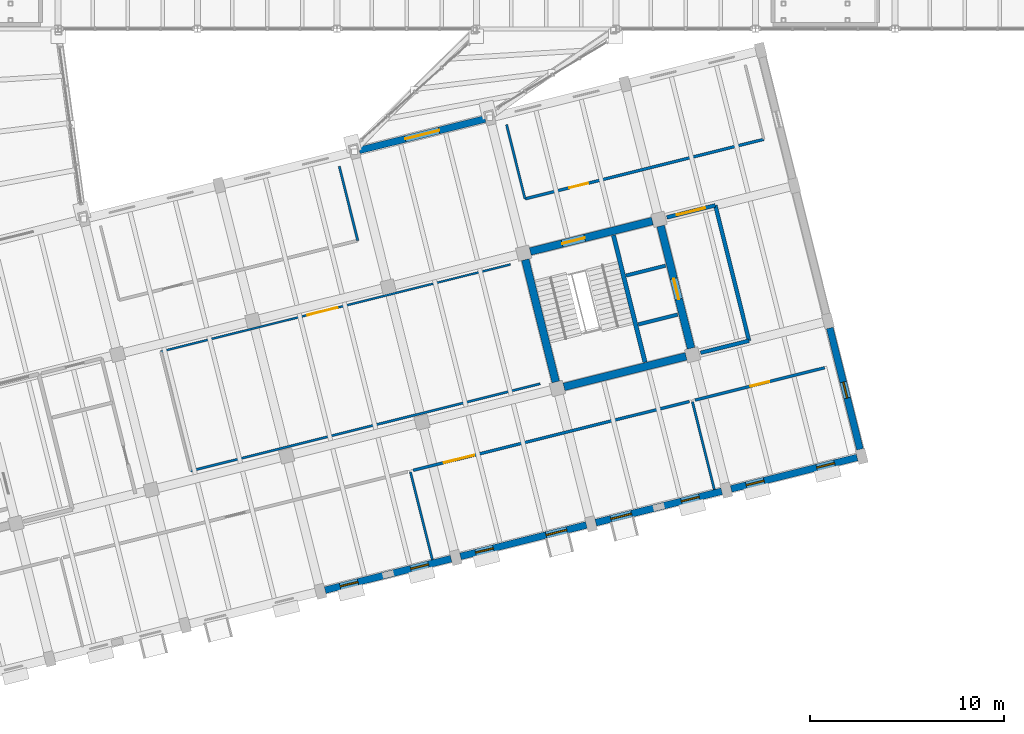
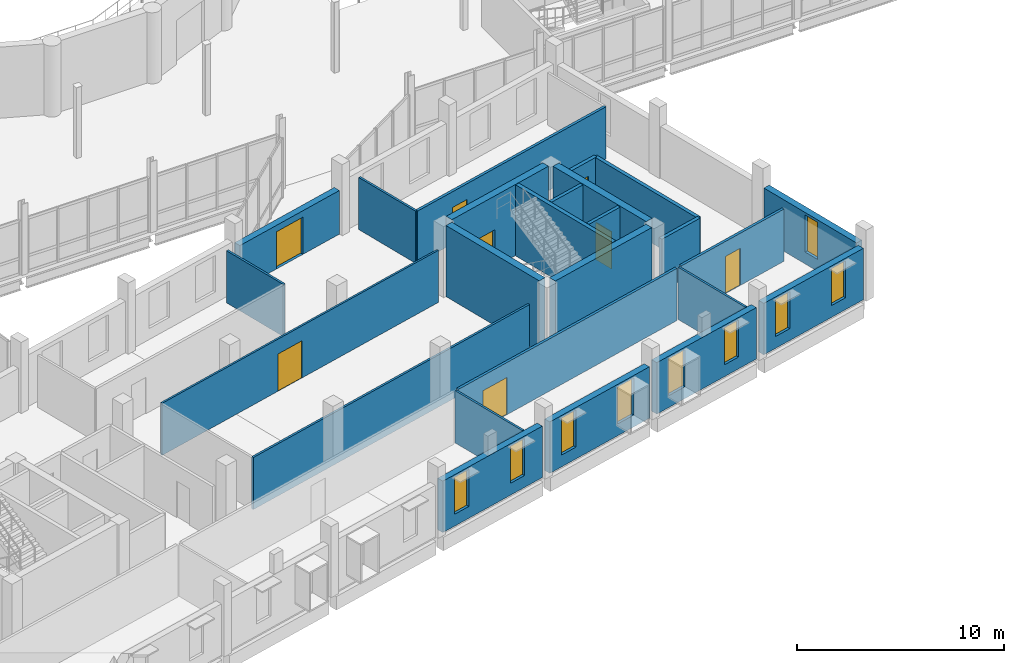
# One storey, part 57 of 72: 25 walls, 9 windows, 8 doors, 17 openings.
"""IFC4 building model written with IfcOpenShell, lengths in metres."""

from ifc_helpers import new_model, si_unit, direction, frame, frame_2d, origin, place, context, subcontext, project, spatial, rectangle, extrude, material, layer, layer_set, type_object, element, fill, save


model = new_model("IFC4")

# Units and contexts
model_context = context("Model", 3, precision=1e-05, world=origin(), true_north=direction((0.0, 1.0)))
body_context = subcontext(model_context, "Body", "Model", "MODEL_VIEW")
ifc_project = project(units=[si_unit("LENGTHUNIT", "METRE"), si_unit("AREAUNIT", "SQUARE_METRE"), si_unit("VOLUMEUNIT", "CUBIC_METRE"), si_unit("PLANEANGLEUNIT", "RADIAN"), si_unit("MASSUNIT", "GRAM", prefix="KILO")], contexts=[model_context])

# Site, building, storey
site_placement = place(None, origin())
site = spatial("IfcSite", under=ifc_project, at=site_placement, CompositionType="ELEMENT")
building_placement = place(site_placement, origin())
building = spatial("IfcBuilding", under=site, at=building_placement, Name="Qiaolan Assembly House", CompositionType="ELEMENT")
storey_placement = place(building_placement, frame((0.0, 0.0, 10.199951171875)))
storey = spatial("IfcBuildingStorey", under=building, at=storey_placement, Name="L02", CompositionType="ELEMENT", Elevation=10.199951171875)

# Wall
ifc_material_1 = material(Name="Concrete C45/55", Category="concrete")
ifc_layer_1 = layer(ifc_material_1, 0.39990234375)
ifc_layer_set_1 = layer_set([ifc_layer_1], Name="Concrete C45/55")
wall_type_1 = type_object("IfcWallType", Name="WAL-CORE-400", PredefinedType="SHEAR", material=ifc_layer_set_1)
wall_1_placement = place(storey_placement, frame((76.5146484375, 17.521728515625, 0.0), z_axis=(0.0, 0.0, 1.0), x_axis=(0.970294759049, 0.241925774902, 0.0)))
element("IfcWall", 1, at=wall_1_placement, inside=storey, type_object=wall_type_1, Name="CW-400 shear core wall CORE-D S L02", PredefinedType="SHEAR", context=body_context, shape_type="SweptSolid", body=[
    extrude(rectangle(XDim=6.5, YDim=0.39990234375, at=frame_2d((3.25, 0.0))), origin(), (0.0, 0.0, 1.0), 4.199951171875),
])

# Wall, opening, door
wall_2_placement = place(storey_placement, frame((83.076416015625, 19.5185546875, 0.0), z_axis=(0.0, 0.0, 1.0), x_axis=(-0.241925774902, 0.970294759049, 0.0)))
wall_2 = element("IfcWall", 2, at=wall_2_placement, inside=storey, type_object=wall_type_1, Name="CW-400 shear core wall CORE-D E L02", PredefinedType="SHEAR", context=body_context, shape_type="SweptSolid", body=[
    extrude(rectangle(XDim=6.5, YDim=0.39990234375, at=frame_2d((3.25, 0.0))), origin(), (0.0, 0.0, 1.0), 4.199951171875),
])
opening_1_placement = place(wall_2_placement, frame((2.60009765625, 0.0, 0.0)))
opening_1 = element("IfcOpeningElement", 3, at=opening_1_placement, cuts=wall_2, Name="Opening LD-060", PredefinedType="OPENING", context=body_context, shape_type="SweptSolid", body=[
    extrude(rectangle(XDim=1.10009765625, YDim=2.199951171875, at=frame_2d((0.550048828125, 1.10009765625))), frame((0.0, 0.2099609375, 0.0), z_axis=(0.0, -1.0, 0.0), x_axis=(1.0, 0.0, 0.0)), (0.0, 0.0, 1.0), 0.419921875),
])
ifc_material_2 = material(Name="Anodised bronze aluminium", Category="aluminium")
door_type_1 = type_object("IfcDoorType", Name="DOR-LIFT-LD1100", OperationType="SLIDING_TO_LEFT", PredefinedType="DOOR", material=ifc_material_2)
door_1_placement = place(opening_1_placement, origin())
door_1 = element("IfcDoor", 4, at=door_1_placement, inside=storey, type_object=door_type_1, Name="Lift landing door LD-060 (LF-08 L02)", OperationType="SLIDING_TO_LEFT", OverallHeight=2.199951171875, OverallWidth=1.10009765625, PredefinedType="DOOR", context=body_context, shape_type="SweptSolid", body=[
    extrude(rectangle(XDim=1.10009765625, YDim=2.199951171875, at=frame_2d((0.550048828125, 1.10009765625))), frame((0.0, 0.02490234375, 0.0), z_axis=(0.0, -1.0, 0.0), x_axis=(1.0, 0.0, 0.0)), (0.0, 0.0, 1.0), 0.050048828125),
])
fill(opening_1, door_1)

wall_3_placement = place(storey_placement, frame((81.07958984375, 26.08056640625, 0.0), z_axis=(0.0, 0.0, 1.0), x_axis=(-0.970294759049, -0.241925774902, 0.0)))
wall_3 = element("IfcWall", 5, at=wall_3_placement, inside=storey, type_object=wall_type_1, Name="CW-400 shear core wall CORE-D N L02", PredefinedType="SHEAR", context=body_context, shape_type="SweptSolid", body=[
    extrude(rectangle(XDim=6.5, YDim=0.39990234375, at=frame_2d((3.25, 0.0))), origin(), (0.0, 0.0, 1.0), 4.199951171875),
])
opening_2_placement = place(wall_3_placement, frame((3.60009765625, 0.0, 0.0)))
opening_2 = element("IfcOpeningElement", 6, at=opening_2_placement, cuts=wall_3, Name="Opening FD-099", PredefinedType="OPENING", context=body_context, shape_type="SweptSolid", body=[
    extrude(rectangle(XDim=1.199951171875, YDim=2.199951171875, at=frame_2d((0.60009765625, 1.10009765625))), frame((0.0, 0.2099609375, 0.0), z_axis=(0.0, -1.0, 0.0), x_axis=(1.0, 0.0, 0.0)), (0.0, 0.0, 1.0), 0.419921875),
])
ifc_material_3 = material(Name="Steel Q355B", Category="steel")
door_type_2 = type_object("IfcDoorType", Name="DOR-FIRE-FD90-1200", OperationType="NOTDEFINED", PredefinedType="DOOR", material=ifc_material_3)
door_2_placement = place(opening_2_placement, frame((1.199951171875, 0.0, 0.0), z_axis=(0.0, 0.0, 1.0), x_axis=(-1.0, 0.0, 0.0)))
door_2 = element("IfcDoor", 7, at=door_2_placement, inside=storey, type_object=door_type_2, Name="Stairwell fire door FD-099 (CORE-D L02)", OperationType="SINGLE_SWING_LEFT", OverallHeight=2.199951171875, OverallWidth=1.199951171875, PredefinedType="DOOR", context=body_context, shape_type="SweptSolid", body=[
    extrude(rectangle(XDim=1.199951171875, YDim=2.199951171875, at=frame_2d((0.60009765625, 1.10009765625))), frame((0.0, 0.02490234375, 0.0), z_axis=(0.0, -1.0, 0.0), x_axis=(1.0, 0.0, 0.0)), (0.0, 0.0, 1.0), 0.050048828125),
])
fill(opening_2, door_2)

# Wall
wall_4_placement = place(storey_placement, frame((74.517822265625, 24.083740234375, 0.0), z_axis=(0.0, 0.0, 1.0), x_axis=(0.241925774902, -0.970294759049, 0.0)))
element("IfcWall", 8, at=wall_4_placement, inside=storey, type_object=wall_type_1, Name="CW-400 shear core wall CORE-D W L02", PredefinedType="SHEAR", context=body_context, shape_type="SweptSolid", body=[
    extrude(rectangle(XDim=6.5, YDim=0.39990234375, at=frame_2d((3.25, 0.0))), origin(), (0.0, 0.0, 1.0), 4.199951171875),
])

# Wall, openings, windows
ifc_material_4 = material(Name="Honed pale limestone", Category="masonry")
ifc_layer_2 = layer(ifc_material_4, 0.360107421875)
ifc_layer_set_2 = layer_set([ifc_layer_2], Name="Honed pale limestone")
wall_type_2 = type_object("IfcWallType", Name="WAL-EXT-LIMESTONE-360", PredefinedType="SOLIDWALL", material=ifc_layer_set_2)
wall_5_placement = place(storey_placement, frame((64.18505859375, 7.02734375, 0.0), z_axis=(0.0, 0.0, 1.0), x_axis=(0.970296540998, 0.241918627903, 0.0)))
wall_5 = element("IfcWall", 9, at=wall_5_placement, inside=storey, type_object=wall_type_2, Name="EW-360 SE South boulevard wall L02 bay 5", PredefinedType="SOLIDWALL", context=body_context, shape_type="SweptSolid", body=[
    extrude(rectangle(XDim=6.7041015625, YDim=0.360107421875, at=frame_2d((3.35205078125, 0.0))), origin(), (0.0, 0.0, 1.0), 3.0400390625),
])
opening_3_placement = place(wall_5_placement, frame((0.802001953125, 0.0, 0.699951171875)))
opening_3 = element("IfcOpeningElement", 10, at=opening_3_placement, cuts=wall_5, Name="Opening WN-288", PredefinedType="OPENING", context=body_context, shape_type="SweptSolid", body=[
    extrude(rectangle(XDim=0.949951171875, YDim=2.18994140625, at=frame_2d((0.47509765625, 1.094970703125))), frame((0.0, 0.18994140625, 0.0), z_axis=(0.0, -1.0, 0.0), x_axis=(1.0, 0.0, 0.0)), (0.0, 0.0, 1.0), 0.380126953125),
])
opening_4_placement = place(wall_5_placement, frame((4.552001953125, 0.0, 0.699951171875)))
opening_4 = element("IfcOpeningElement", 11, at=opening_4_placement, cuts=wall_5, Name="Opening WN-289", PredefinedType="OPENING", context=body_context, shape_type="SweptSolid", body=[
    extrude(rectangle(XDim=0.949951171875, YDim=2.18994140625, at=frame_2d((0.47509765625, 1.094970703125))), frame((0.0, 0.18994140625, 0.0), z_axis=(0.0, -1.0, 0.0), x_axis=(1.0, 0.0, 0.0)), (0.0, 0.0, 1.0), 0.380126953125),
])
ifc_material_5 = material(Name="Low-E double insulating glass", Category="glass")
window_type_1 = type_object("IfcWindowType", Name="WIN-PUNCH-950x2400", PartitioningType="SINGLE_PANEL", PredefinedType="WINDOW", material=ifc_material_5)
window_1_placement = place(opening_3_placement, origin())
window_1 = element("IfcWindow", 12, at=window_1_placement, inside=storey, type_object=window_type_1, Name="WN-T06 splayed window WN-288", OverallHeight=2.18994140625, OverallWidth=0.949951171875, PartitioningType="SINGLE_PANEL", PredefinedType="WINDOW", context=body_context, shape_type="SweptSolid", body=[
    extrude(rectangle(XDim=0.949951171875, YDim=2.18994140625, at=frame_2d((0.47509765625, 1.094970703125))), frame((0.0, 0.030029296875, 0.0), z_axis=(0.0, -1.0, 0.0), x_axis=(1.0, 0.0, 0.0)), (0.0, 0.0, 1.0), 0.06005859375),
])
fill(opening_3, window_1)
window_2_placement = place(opening_4_placement, origin())
window_2 = element("IfcWindow", 13, at=window_2_placement, inside=storey, type_object=window_type_1, Name="WN-T06 splayed window WN-289", OverallHeight=2.18994140625, OverallWidth=0.949951171875, PartitioningType="SINGLE_PANEL", PredefinedType="WINDOW", context=body_context, shape_type="SweptSolid", body=[
    extrude(rectangle(XDim=0.949951171875, YDim=2.18994140625, at=frame_2d((0.47509765625, 1.094970703125))), frame((0.0, 0.030029296875, 0.0), z_axis=(0.0, -1.0, 0.0), x_axis=(1.0, 0.0, 0.0)), (0.0, 0.0, 1.0), 0.06005859375),
])
fill(opening_4, window_2)

wall_6_placement = place(storey_placement, frame((71.17138671875, 8.769287109375, 0.0), z_axis=(0.0, 0.0, 1.0), x_axis=(0.97029440959, 0.241927176478, 0.0)))
wall_6 = element("IfcWall", 14, at=wall_6_placement, inside=storey, type_object=wall_type_2, Name="EW-360 SE South boulevard wall L02 bay 6", PredefinedType="SOLIDWALL", context=body_context, shape_type="SweptSolid", body=[
    extrude(rectangle(XDim=6.703857421875, YDim=0.360107421875, at=frame_2d((3.35205078125, 0.0))), origin(), (0.0, 0.0, 1.0), 3.0400390625),
])
opening_5_placement = place(wall_6_placement, frame((0.802001953125, 0.0, 0.699951171875)))
opening_5 = element("IfcOpeningElement", 15, at=opening_5_placement, cuts=wall_6, Name="Opening WN-290", PredefinedType="OPENING", context=body_context, shape_type="SweptSolid", body=[
    extrude(rectangle(XDim=0.949951171875, YDim=2.18994140625, at=frame_2d((0.47509765625, 1.094970703125))), frame((0.0, 0.18994140625, 0.0), z_axis=(0.0, -1.0, 0.0), x_axis=(1.0, 0.0, 0.0)), (0.0, 0.0, 1.0), 0.380126953125),
])
opening_6_placement = place(wall_6_placement, frame((4.552001953125, 0.0, 0.699951171875)))
opening_6 = element("IfcOpeningElement", 16, at=opening_6_placement, cuts=wall_6, Name="Opening WN-291", PredefinedType="OPENING", context=body_context, shape_type="SweptSolid", body=[
    extrude(rectangle(XDim=1.10009765625, YDim=2.18994140625, at=frame_2d((0.550048828125, 1.094970703125))), frame((0.0, 0.18994140625, 0.0), z_axis=(0.0, -1.0, 0.0), x_axis=(1.0, 0.0, 0.0)), (0.0, 0.0, 1.0), 0.380126953125),
])
window_type_2 = type_object("IfcWindowType", Name="WIN-BOX-1100x2600", PartitioningType="SINGLE_PANEL", PredefinedType="WINDOW", material=ifc_material_5)
window_3_placement = place(opening_6_placement, origin())
window_3 = element("IfcWindow", 17, at=window_3_placement, inside=storey, type_object=window_type_2, Name="WN-T02 splayed window WN-291", OverallHeight=2.18994140625, OverallWidth=1.10009765625, PartitioningType="SINGLE_PANEL", PredefinedType="WINDOW", context=body_context, shape_type="SweptSolid", body=[
    extrude(rectangle(XDim=1.10009765625, YDim=2.18994140625, at=frame_2d((0.550048828125, 1.094970703125))), frame((0.0, 0.030029296875, 0.0), z_axis=(0.0, -1.0, 0.0), x_axis=(1.0, 0.0, 0.0)), (0.0, 0.0, 1.0), 0.06005859375),
])
fill(opening_6, window_3)
window_4_placement = place(opening_5_placement, origin())
window_4 = element("IfcWindow", 18, at=window_4_placement, inside=storey, type_object=window_type_1, Name="WN-T06 splayed window WN-290", OverallHeight=2.18994140625, OverallWidth=0.949951171875, PartitioningType="SINGLE_PANEL", PredefinedType="WINDOW", context=body_context, shape_type="SweptSolid", body=[
    extrude(rectangle(XDim=0.949951171875, YDim=2.18994140625, at=frame_2d((0.47509765625, 1.094970703125))), frame((0.0, 0.030029296875, 0.0), z_axis=(0.0, -1.0, 0.0), x_axis=(1.0, 0.0, 0.0)), (0.0, 0.0, 1.0), 0.06005859375),
])
fill(opening_5, window_4)

wall_7_placement = place(storey_placement, frame((78.157470703125, 10.510986328125, 0.0), z_axis=(0.0, 0.0, 1.0), x_axis=(0.970296540998, 0.241918627903, 0.0)))
wall_7 = element("IfcWall", 19, at=wall_7_placement, inside=storey, type_object=wall_type_2, Name="EW-360 SE South boulevard wall L02 bay 7", PredefinedType="SOLIDWALL", context=body_context, shape_type="SweptSolid", body=[
    extrude(rectangle(XDim=6.7041015625, YDim=0.360107421875, at=frame_2d((3.35205078125, 0.0))), origin(), (0.0, 0.0, 1.0), 3.0400390625),
])
opening_7_placement = place(wall_7_placement, frame((0.802001953125, 0.0, 0.699951171875)))
opening_7 = element("IfcOpeningElement", 20, at=opening_7_placement, cuts=wall_7, Name="Opening WN-292", PredefinedType="OPENING", context=body_context, shape_type="SweptSolid", body=[
    extrude(rectangle(XDim=1.10009765625, YDim=2.18994140625, at=frame_2d((0.550048828125, 1.094970703125))), frame((0.0, 0.18994140625, 0.0), z_axis=(0.0, -1.0, 0.0), x_axis=(1.0, 0.0, 0.0)), (0.0, 0.0, 1.0), 0.380126953125),
])
opening_8_placement = place(wall_7_placement, frame((4.552001953125, 0.0, 0.699951171875)))
opening_8 = element("IfcOpeningElement", 21, at=opening_8_placement, cuts=wall_7, Name="Opening WN-293", PredefinedType="OPENING", context=body_context, shape_type="SweptSolid", body=[
    extrude(rectangle(XDim=0.949951171875, YDim=2.18994140625, at=frame_2d((0.47509765625, 1.094970703125))), frame((0.0, 0.18994140625, 0.0), z_axis=(0.0, -1.0, 0.0), x_axis=(1.0, 0.0, 0.0)), (0.0, 0.0, 1.0), 0.380126953125),
])
window_5_placement = place(opening_7_placement, origin())
window_5 = element("IfcWindow", 22, at=window_5_placement, inside=storey, type_object=window_type_2, Name="WN-T02 splayed window WN-292", OverallHeight=2.18994140625, OverallWidth=1.10009765625, PartitioningType="SINGLE_PANEL", PredefinedType="WINDOW", context=body_context, shape_type="SweptSolid", body=[
    extrude(rectangle(XDim=1.10009765625, YDim=2.18994140625, at=frame_2d((0.550048828125, 1.094970703125))), frame((0.0, 0.030029296875, 0.0), z_axis=(0.0, -1.0, 0.0), x_axis=(1.0, 0.0, 0.0)), (0.0, 0.0, 1.0), 0.06005859375),
])
fill(opening_7, window_5)
window_6_placement = place(opening_8_placement, origin())
window_6 = element("IfcWindow", 23, at=window_6_placement, inside=storey, type_object=window_type_1, Name="WN-T06 splayed window WN-293", OverallHeight=2.18994140625, OverallWidth=0.949951171875, PartitioningType="SINGLE_PANEL", PredefinedType="WINDOW", context=body_context, shape_type="SweptSolid", body=[
    extrude(rectangle(XDim=0.949951171875, YDim=2.18994140625, at=frame_2d((0.47509765625, 1.094970703125))), frame((0.0, 0.030029296875, 0.0), z_axis=(0.0, -1.0, 0.0), x_axis=(1.0, 0.0, 0.0)), (0.0, 0.0, 1.0), 0.06005859375),
])
fill(opening_8, window_6)

wall_8_placement = place(storey_placement, frame((85.1435546875, 12.2529296875, 0.0), z_axis=(0.0, 0.0, 1.0), x_axis=(0.970296540998, 0.241918627903, 0.0)))
wall_8 = element("IfcWall", 24, at=wall_8_placement, inside=storey, type_object=wall_type_2, Name="EW-360 SE South boulevard wall L02 bay 8", PredefinedType="SOLIDWALL", context=body_context, shape_type="SweptSolid", body=[
    extrude(rectangle(XDim=6.7041015625, YDim=0.360107421875, at=frame_2d((3.35205078125, 0.0))), origin(), (0.0, 0.0, 1.0), 3.0400390625),
])
opening_9_placement = place(wall_8_placement, frame((0.802001953125, 0.0, 0.699951171875)))
opening_9 = element("IfcOpeningElement", 25, at=opening_9_placement, cuts=wall_8, Name="Opening WN-294", PredefinedType="OPENING", context=body_context, shape_type="SweptSolid", body=[
    extrude(rectangle(XDim=0.949951171875, YDim=2.18994140625, at=frame_2d((0.47509765625, 1.094970703125))), frame((0.0, 0.18994140625, 0.0), z_axis=(0.0, -1.0, 0.0), x_axis=(1.0, 0.0, 0.0)), (0.0, 0.0, 1.0), 0.380126953125),
])
opening_10_placement = place(wall_8_placement, frame((4.552001953125, 0.0, 0.699951171875)))
opening_10 = element("IfcOpeningElement", 26, at=opening_10_placement, cuts=wall_8, Name="Opening WN-295", PredefinedType="OPENING", context=body_context, shape_type="SweptSolid", body=[
    extrude(rectangle(XDim=0.949951171875, YDim=2.18994140625, at=frame_2d((0.47509765625, 1.094970703125))), frame((0.0, 0.18994140625, 0.0), z_axis=(0.0, -1.0, 0.0), x_axis=(1.0, 0.0, 0.0)), (0.0, 0.0, 1.0), 0.380126953125),
])
window_7_placement = place(opening_9_placement, origin())
window_7 = element("IfcWindow", 27, at=window_7_placement, inside=storey, type_object=window_type_1, Name="WN-T06 splayed window WN-294", OverallHeight=2.18994140625, OverallWidth=0.949951171875, PartitioningType="SINGLE_PANEL", PredefinedType="WINDOW", context=body_context, shape_type="SweptSolid", body=[
    extrude(rectangle(XDim=0.949951171875, YDim=2.18994140625, at=frame_2d((0.47509765625, 1.094970703125))), frame((0.0, 0.030029296875, 0.0), z_axis=(0.0, -1.0, 0.0), x_axis=(1.0, 0.0, 0.0)), (0.0, 0.0, 1.0), 0.06005859375),
])
fill(opening_9, window_7)
window_8_placement = place(opening_10_placement, origin())
window_8 = element("IfcWindow", 28, at=window_8_placement, inside=storey, type_object=window_type_1, Name="WN-T06 splayed window WN-295", OverallHeight=2.18994140625, OverallWidth=0.949951171875, PartitioningType="SINGLE_PANEL", PredefinedType="WINDOW", context=body_context, shape_type="SweptSolid", body=[
    extrude(rectangle(XDim=0.949951171875, YDim=2.18994140625, at=frame_2d((0.47509765625, 1.094970703125))), frame((0.0, 0.030029296875, 0.0), z_axis=(0.0, -1.0, 0.0), x_axis=(1.0, 0.0, 0.0)), (0.0, 0.0, 1.0), 0.06005859375),
])
fill(opening_10, window_8)

# Wall, opening, door
wall_9_placement = place(storey_placement, frame((72.45068359375, 31.349365234375, 0.0), z_axis=(0.0, 0.0, 1.0), x_axis=(-0.970296540998, -0.241918627903, 0.0)))
wall_9 = element("IfcWall", 29, at=wall_9_placement, inside=storey, type_object=wall_type_2, Name="EW-360 SE North court wall L02 bay 6", PredefinedType="SOLIDWALL", context=body_context, shape_type="SweptSolid", body=[
    extrude(rectangle(XDim=6.7041015625, YDim=0.360107421875, at=frame_2d((3.35205078125, 0.0))), origin(), (0.0, 0.0, 1.0), 2.580078125),
])
opening_11_placement = place(wall_9_placement, frame((2.451904296875, 0.0, 0.0)))
opening_11 = element("IfcOpeningElement", 30, at=opening_11_placement, cuts=wall_9, Name="Opening BD-019", PredefinedType="OPENING", context=body_context, shape_type="SweptSolid", body=[
    extrude(rectangle(XDim=1.800048828125, YDim=2.199951171875, at=frame_2d((0.89990234375, 1.10009765625))), frame((0.0, 0.18994140625, 0.0), z_axis=(0.0, -1.0, 0.0), x_axis=(1.0, 0.0, 0.0)), (0.0, 0.0, 1.0), 0.380126953125),
])
door_type_3 = type_object("IfcDoorType", Name="DOR-CORR-DBL-1800", OperationType="DOUBLE_DOOR_SINGLE_SWING", PredefinedType="DOOR", material=ifc_material_2)
door_3_placement = place(opening_11_placement, origin())
door_3 = element("IfcDoor", 31, at=door_3_placement, inside=storey, type_object=door_type_3, Name="SE Wing court/bridge portal BD-019", OperationType="DOUBLE_DOOR_SINGLE_SWING", OverallHeight=2.199951171875, OverallWidth=1.800048828125, PredefinedType="DOOR", context=body_context, shape_type="SweptSolid", body=[
    extrude(rectangle(XDim=1.800048828125, YDim=2.199951171875, at=frame_2d((0.89990234375, 1.10009765625))), frame((0.0, 0.02490234375, 0.0), z_axis=(0.0, -1.0, 0.0), x_axis=(1.0, 0.0, 0.0)), (0.0, 0.0, 1.0), 0.050048828125),
])
fill(opening_11, door_3)

# Wall, opening, window
wall_10_placement = place(storey_placement, frame((91.798828125, 14.296630859375, 0.0), z_axis=(0.0, 0.0, 1.0), x_axis=(-0.241912519272, 0.970298064009, 0.0)))
wall_10 = element("IfcWall", 32, at=wall_10_placement, inside=storey, type_object=wall_type_2, Name="SE East wall L02-1", PredefinedType="SOLIDWALL", context=body_context, shape_type="SweptSolid", body=[
    extrude(rectangle(XDim=6.453857421875, YDim=0.360107421875, at=frame_2d((3.22705078125, 0.0))), origin(), (0.0, 0.0, 1.0), 3.0400390625),
])
opening_12_placement = place(wall_10_placement, frame((2.72705078125, 0.0, 0.699951171875)))
opening_12 = element("IfcOpeningElement", 33, at=opening_12_placement, cuts=wall_10, Name="Opening WN-308", PredefinedType="OPENING", context=body_context, shape_type="SweptSolid", body=[
    extrude(rectangle(XDim=0.85009765625, YDim=2.18994140625, at=frame_2d((0.425048828125, 1.094970703125))), frame((0.0, 0.18994140625, 0.0), z_axis=(0.0, -1.0, 0.0), x_axis=(1.0, 0.0, 0.0)), (0.0, 0.0, 1.0), 0.380126953125),
])
window_type_3 = type_object("IfcWindowType", Name="WIN-END-850x2200", PartitioningType="SINGLE_PANEL", PredefinedType="WINDOW", material=ifc_material_5)
window_9_placement = place(opening_12_placement, origin())
window_9 = element("IfcWindow", 34, at=window_9_placement, inside=storey, type_object=window_type_3, Name="SE East window WN-308", OverallHeight=2.18994140625, OverallWidth=0.85009765625, PartitioningType="SINGLE_PANEL", PredefinedType="WINDOW", context=body_context, shape_type="SweptSolid", body=[
    extrude(rectangle(XDim=0.85009765625, YDim=2.18994140625, at=frame_2d((0.425048828125, 1.094970703125))), frame((0.0, 0.030029296875, 0.0), z_axis=(0.0, -1.0, 0.0), x_axis=(1.0, 0.0, 0.0)), (0.0, 0.0, 1.0), 0.06005859375),
])
fill(opening_12, window_9)

# Walls
ifc_material_6 = material(Name="Concrete C35/45", Category="concrete")
ifc_layer_3 = layer(ifc_material_6, 0.199951171875)
ifc_layer_set_3 = layer_set([ifc_layer_3], Name="Concrete C35/45")
wall_type_3 = type_object("IfcWallType", Name="WAL-LOBBY-200", PredefinedType="PARTITIONING", material=ifc_layer_set_3)
wall_11_placement = place(storey_placement, frame((86.072021484375, 19.90478515625, 0.0), z_axis=(0.0, 0.0, 1.0), x_axis=(-0.241937193493, 0.970291911955, 0.0)))
element("IfcWall", 35, at=wall_11_placement, inside=storey, type_object=wall_type_3, Name="Firefighting lift lobby east wall CORE-D L02", PredefinedType="PARTITIONING", context=body_context, shape_type="SweptSolid", body=[
    extrude(rectangle(XDim=7.199951171875, YDim=0.199951171875, at=frame_2d((3.60009765625, 0.0))), origin(), (0.0, 0.0, 1.0), 3.080078125),
])
wall_12_placement = place(storey_placement, frame((83.568603515625, 19.280517578125, 0.0), z_axis=(0.0, 0.0, 1.0), x_axis=(0.970287048366, 0.241956698135, 0.0)))
element("IfcWall", 36, at=wall_12_placement, inside=storey, type_object=wall_type_3, Name="Firefighting lift lobby south wall CORE-D L02", PredefinedType="PARTITIONING", context=body_context, shape_type="SweptSolid", body=[
    extrude(rectangle(XDim=2.580078125, YDim=0.199951171875, at=frame_2d((1.2900390625, 0.0))), origin(), (0.0, 0.0, 1.0), 3.080078125),
])

# Wall, opening, door
wall_13_placement = place(storey_placement, frame((84.330078125, 26.890869140625, 0.0), z_axis=(0.0, 0.0, 1.0), x_axis=(-0.970309259708, -0.2418676095, 0.0)))
wall_13 = element("IfcWall", 37, at=wall_13_placement, inside=storey, type_object=wall_type_3, Name="Firefighting lift lobby north wall CORE-D L02", PredefinedType="PARTITIONING", context=body_context, shape_type="SweptSolid", body=[
    extrude(rectangle(XDim=2.580078125, YDim=0.199951171875, at=frame_2d((1.2900390625, 0.0))), origin(), (0.0, 0.0, 1.0), 3.080078125),
])
opening_13_placement = place(wall_13_placement, frame((0.550048828125, 0.0, 0.0)))
opening_13 = element("IfcOpeningElement", 38, at=opening_13_placement, cuts=wall_13, Name="Opening FD-100", PredefinedType="OPENING", context=body_context, shape_type="SweptSolid", body=[
    extrude(rectangle(XDim=1.5, YDim=2.199951171875, at=frame_2d((0.75, 1.10009765625))), frame((0.0, 0.10986328125, 0.0), z_axis=(0.0, -1.0, 0.0), x_axis=(1.0, 0.0, 0.0)), (0.0, 0.0, 1.0), 0.219970703125),
])
ifc_material_7 = material(Name="Acoustic oak panelling")
door_type_4 = type_object("IfcDoorType", Name="DOR-LOBBY-FD60-1500", OperationType="DOUBLE_DOOR_SINGLE_SWING", PredefinedType="DOOR", material=ifc_material_7)
door_4_placement = place(opening_13_placement, frame((1.5, 0.0, 0.0), z_axis=(0.0, 0.0, 1.0), x_axis=(-1.0, 0.0, 0.0)))
door_4 = element("IfcDoor", 39, at=door_4_placement, inside=storey, type_object=door_type_4, Name="Lobby corridor fire door FD-100", OperationType="DOUBLE_DOOR_SINGLE_SWING", OverallHeight=2.199951171875, OverallWidth=1.5, PredefinedType="DOOR", context=body_context, shape_type="SweptSolid", body=[
    extrude(rectangle(XDim=1.5, YDim=2.199951171875, at=frame_2d((0.75, 1.10009765625))), frame((0.0, 0.02490234375, 0.0), z_axis=(0.0, -1.0, 0.0), x_axis=(1.0, 0.0, 0.0)), (0.0, 0.0, 1.0), 0.050048828125),
])
fill(opening_13, door_4)

# Walls
ifc_material_8 = material(Name="Gypsum plasterboard partition")
ifc_layer_4 = layer(ifc_material_8, 0.1201171875)
ifc_layer_set_4 = layer_set([ifc_layer_4], Name="Gypsum plasterboard partition")
wall_type_4 = type_object("IfcWallType", Name="WAL-PART-120", PredefinedType="PARTITIONING", material=ifc_layer_set_4)
for number, where, z_axis, x_axis, name in (
    (40, (69.72265625, 8.593505859375, 0.0), (0.0, 0.0, 1.0), (-0.241895920765, 0.97030220216, 0.0), "Standing Committee Suite B — Education & Health demising wall"),
    (41, (84.277099609375, 12.222412109375, 0.0), (0.0, 0.0, 1.0), (-0.241895920765, 0.97030220216, 0.0), "Members Reference & Transcription Room demising wall"),
):
    element("IfcWall", number, at=place(storey_placement, frame(where, z_axis=z_axis, x_axis=x_axis)), inside=storey, type_object=wall_type_4, Name=name, PredefinedType="PARTITIONING", context=body_context, shape_type="SweptSolid", body=[
        extrude(rectangle(XDim=4.669921875, YDim=0.1201171875, at=frame_2d((2.3349609375, 0.0))), origin(), (0.0, 0.0, 1.0), 3.080078125),
    ])
wall_14_placement = place(storey_placement, frame((57.242431640625, 13.180419921875, 0.0), z_axis=(0.0, 0.0, 1.0), x_axis=(0.970295185925, 0.24192406282, 0.0)))
element("IfcWall", 42, at=wall_14_placement, inside=storey, type_object=wall_type_4, Name="Joint Committee Caucus & Briefing Hall south partition", PredefinedType="PARTITIONING", context=body_context, shape_type="SweptSolid", body=[
    extrude(rectangle(XDim=18.599853515625, YDim=0.1201171875, at=frame_2d((9.2998046875, 0.0))), origin(), (0.0, 0.0, 1.0), 3.080078125),
])
for number, where, z_axis, x_axis, name in (
    (43, (64.91650390625, 28.904052734375, 0.0), (0.0, 0.0, 1.0), (0.241924747697, -0.970295015164, 0.0), "Court Outlook Consultation Suite L02 east wall"),
    (44, (74.507568359375, 27.224609375, 0.0), (0.0, 0.0, 1.0), (-0.241924747697, 0.970295015164, 0.0), "Boulevard Wing Project Office L02 west wall"),
):
    element("IfcWall", number, at=place(storey_placement, frame(where, z_axis=z_axis, x_axis=x_axis)), inside=storey, type_object=wall_type_4, Name=name, PredefinedType="PARTITIONING", context=body_context, shape_type="SweptSolid", body=[
        extrude(rectangle(XDim=3.949951171875, YDim=0.1201171875, at=frame_2d((1.97509765625, 0.0))), origin(), (0.0, 0.0, 1.0), 3.080078125),
    ])

# Wall, opening, door
ifc_layer_5 = layer(ifc_material_8, 0.14990234375)
ifc_layer_set_5 = layer_set([ifc_layer_5], Name="Gypsum plasterboard partition")
wall_type_5 = type_object("IfcWallType", Name="WAL-PART-150", PredefinedType="PARTITIONING", material=ifc_layer_set_5)
wall_15_placement = place(storey_placement, frame((68.726318359375, 13.209716796875, 0.0), z_axis=(0.0, 0.0, 1.0), x_axis=(0.970297636173, 0.241914235293, 0.0)))
wall_15 = element("IfcWall", 45, at=wall_15_placement, inside=storey, type_object=wall_type_5, Name="Standing Committee Suite B — Education & Health north wall", PredefinedType="PARTITIONING", context=body_context, shape_type="SweptSolid", body=[
    extrude(rectangle(XDim=14.699951171875, YDim=0.14990234375, at=frame_2d((7.35009765625, 0.0))), origin(), (0.0, 0.0, 1.0), 3.080078125),
])
opening_14_placement = place(wall_15_placement, frame((1.64990234375, 0.0, 0.0)))
opening_14 = element("IfcOpeningElement", 46, at=opening_14_placement, cuts=wall_15, Name="Opening SD-250", PredefinedType="OPENING", context=body_context, shape_type="SweptSolid", body=[
    extrude(rectangle(XDim=1.60009765625, YDim=2.199951171875, at=frame_2d((0.800048828125, 1.10009765625))), frame((0.0, 0.0849609375, 0.0), z_axis=(0.0, -1.0, 0.0), x_axis=(1.0, 0.0, 0.0)), (0.0, 0.0, 1.0), 0.169921875),
])
door_type_5 = type_object("IfcDoorType", Name="DOR-COMM-DBL-1600", OperationType="DOUBLE_DOOR_SINGLE_SWING", PredefinedType="DOOR", material=ifc_material_7)
door_5_placement = place(opening_14_placement, origin())
door_5 = element("IfcDoor", 47, at=door_5_placement, inside=storey, type_object=door_type_5, Name="Standing Committee Suite B — Education & Health door SD-250", OperationType="DOUBLE_DOOR_SINGLE_SWING", OverallHeight=2.199951171875, OverallWidth=1.60009765625, PredefinedType="DOOR", context=body_context, shape_type="SweptSolid", body=[
    extrude(rectangle(XDim=1.60009765625, YDim=2.199951171875, at=frame_2d((0.800048828125, 1.10009765625))), frame((0.0, 0.02490234375, 0.0), z_axis=(0.0, -1.0, 0.0), x_axis=(1.0, 0.0, 0.0)), (0.0, 0.0, 1.0), 0.050048828125),
])
fill(opening_14, door_5)

wall_16_placement = place(storey_placement, frame((83.28076171875, 16.83837890625, 0.0), z_axis=(0.0, 0.0, 1.0), x_axis=(0.970290093403, 0.241944486697, 0.0)))
wall_16 = element("IfcWall", 48, at=wall_16_placement, inside=storey, type_object=wall_type_5, Name="Members Reference & Transcription Room north wall", PredefinedType="PARTITIONING", context=body_context, shape_type="SweptSolid", body=[
    extrude(rectangle(XDim=6.900146484375, YDim=0.14990234375, at=frame_2d((3.4501953125, 0.0))), origin(), (0.0, 0.0, 1.0), 3.080078125),
])
opening_15_placement = place(wall_16_placement, frame((2.949951171875, 0.0, 0.0)))
opening_15 = element("IfcOpeningElement", 49, at=opening_15_placement, cuts=wall_16, Name="Opening SD-251", PredefinedType="OPENING", context=body_context, shape_type="SweptSolid", body=[
    extrude(rectangle(XDim=1.0, YDim=2.199951171875, at=frame_2d((0.5, 1.10009765625))), frame((0.0, 0.0849609375, 0.0), z_axis=(0.0, -1.0, 0.0), x_axis=(1.0, 0.0, 0.0)), (0.0, 0.0, 1.0), 0.169921875),
])
door_type_6 = type_object("IfcDoorType", Name="DOR-OFF-SGL-1000", OperationType="NOTDEFINED", PredefinedType="DOOR", material=ifc_material_7)
door_6_placement = place(opening_15_placement, origin())
door_6 = element("IfcDoor", 50, at=door_6_placement, inside=storey, type_object=door_type_6, Name="Members Reference & Transcription Room door SD-251", OperationType="SINGLE_SWING_RIGHT", OverallHeight=2.199951171875, OverallWidth=1.0, PredefinedType="DOOR", context=body_context, shape_type="SweptSolid", body=[
    extrude(rectangle(XDim=1.0, YDim=2.199951171875, at=frame_2d((0.5, 1.10009765625))), frame((0.0, 0.02490234375, 0.0), z_axis=(0.0, -1.0, 0.0), x_axis=(1.0, 0.0, 0.0)), (0.0, 0.0, 1.0), 0.050048828125),
])
fill(opening_15, door_6)

wall_17_placement = place(storey_placement, frame((74.507568359375, 27.224609375, 0.0), z_axis=(0.0, 0.0, 1.0), x_axis=(0.970298350757, 0.241911369139, 0.0)))
wall_17 = element("IfcWall", 51, at=wall_17_placement, inside=storey, type_object=wall_type_5, Name="Boulevard Wing Project Office L02 south wall", PredefinedType="PARTITIONING", context=body_context, shape_type="SweptSolid", body=[
    extrude(rectangle(XDim=12.699951171875, YDim=0.14990234375, at=frame_2d((6.35009765625, 0.0))), origin(), (0.0, 0.0, 1.0), 3.080078125),
])
opening_16_placement = place(wall_17_placement, frame((2.35009765625, 0.0, 0.0)))
opening_16 = element("IfcOpeningElement", 52, at=opening_16_placement, cuts=wall_17, Name="Opening SD-254", PredefinedType="OPENING", context=body_context, shape_type="SweptSolid", body=[
    extrude(rectangle(XDim=1.0, YDim=2.14990234375, at=frame_2d((0.5, 1.074951171875))), frame((0.0, 0.0849609375, 0.0), z_axis=(0.0, -1.0, 0.0), x_axis=(1.0, 0.0, 0.0)), (0.0, 0.0, 1.0), 0.169921875),
])
door_7_placement = place(opening_16_placement, origin())
door_7 = element("IfcDoor", 53, at=door_7_placement, inside=storey, type_object=door_type_6, Name="Boulevard Wing Project Office L02 door SD-254", OperationType="SINGLE_SWING_RIGHT", OverallHeight=2.14990234375, OverallWidth=1.0, PredefinedType="DOOR", context=body_context, shape_type="SweptSolid", body=[
    extrude(rectangle(XDim=1.0, YDim=2.14990234375, at=frame_2d((0.5, 1.074951171875))), frame((0.0, 0.02490234375, 0.0), z_axis=(0.0, -1.0, 0.0), x_axis=(1.0, 0.0, 0.0)), (0.0, 0.0, 1.0), 0.050048828125),
])
fill(opening_16, door_7)

ifc_layer_6 = layer(ifc_material_5, 0.10498046875)
ifc_layer_set_6 = layer_set([ifc_layer_6], Name="Low-E double insulating glass")
wall_type_6 = type_object("IfcWallType", Name="WAL-PART-GLAZED-120", PredefinedType="PARTITIONING", material=ifc_layer_set_6)
wall_18_placement = place(storey_placement, frame((73.753662109375, 23.841552734375, 0.0), z_axis=(0.0, 0.0, 1.0), x_axis=(-0.970295954135, -0.241920981706, 0.0)))
wall_18 = element("IfcWall", 54, at=wall_18_placement, inside=storey, type_object=wall_type_6, Name="Joint Committee Caucus & Briefing Hall glazed partition", PredefinedType="PARTITIONING", context=body_context, shape_type="SweptSolid", body=[
    extrude(rectangle(XDim=18.60009765625, YDim=0.10498046875, at=frame_2d((9.300048828125, 0.0))), origin(), (0.0, 0.0, 1.0), 3.080078125),
])
opening_17_placement = place(wall_18_placement, frame((9.199951171875, 0.0, 0.0)))
opening_17 = element("IfcOpeningElement", 55, at=opening_17_placement, cuts=wall_18, Name="Opening SD-252", PredefinedType="OPENING", context=body_context, shape_type="SweptSolid", body=[
    extrude(rectangle(XDim=1.60009765625, YDim=2.199951171875, at=frame_2d((0.800048828125, 1.10009765625))), frame((0.0, 0.0625, 0.0), z_axis=(0.0, -1.0, 0.0), x_axis=(1.0, 0.0, 0.0)), (0.0, 0.0, 1.0), 0.125),
])
door_8_placement = place(opening_17_placement, origin())
door_8 = element("IfcDoor", 56, at=door_8_placement, inside=storey, type_object=door_type_5, Name="Joint Committee Caucus & Briefing Hall door SD-252", OperationType="DOUBLE_DOOR_SINGLE_SWING", OverallHeight=2.199951171875, OverallWidth=1.60009765625, PredefinedType="DOOR", context=body_context, shape_type="SweptSolid", body=[
    extrude(rectangle(XDim=1.60009765625, YDim=2.199951171875, at=frame_2d((0.800048828125, 1.10009765625))), frame((0.0, 0.02490234375, 0.0), z_axis=(0.0, -1.0, 0.0), x_axis=(1.0, 0.0, 0.0)), (0.0, 0.0, 1.0), 0.050048828125),
])
fill(opening_17, door_8)

# Walls
ifc_layer_7 = layer(ifc_material_6, 0.18505859375)
ifc_layer_set_7 = layer_set([ifc_layer_7], Name="Concrete C35/45")
wall_type_7 = type_object("IfcWallType", Name="WAL-SHAFT-200", PredefinedType="PARTITIONING", material=ifc_layer_set_7)
for number, where, z_axis, x_axis, name in (
    (57, (80.3486328125, 20.7451171875, 0.0), (0.0, 0.0, 1.0), (0.970292765557, 0.241933770084, 0.0), "SW-200 lift shaft wall LF-08 L02 DIVS"),
    (58, (79.7197265625, 23.267822265625, 0.0), (0.0, 0.0, 1.0), (0.970292765557, 0.241933770084, 0.0), "SW-200 lift shaft wall LF-08 L02 DIVN"),
):
    element("IfcWall", number, at=place(storey_placement, frame(where, z_axis=z_axis, x_axis=x_axis)), inside=storey, type_object=wall_type_7, Name=name, PredefinedType="PARTITIONING", context=body_context, shape_type="SweptSolid", body=[
        extrude(rectangle(XDim=2.10009765625, YDim=0.18505859375, at=frame_2d((1.050048828125, 0.0))), origin(), (0.0, 0.0, 1.0), 4.199951171875),
    ])
ifc_material_9 = material(Name="Concrete C40/50", Category="concrete")
ifc_layer_8 = layer(ifc_material_9, 0.22509765625)
ifc_layer_set_8 = layer_set([ifc_layer_8], Name="Concrete C40/50")
wall_type_8 = type_object("IfcWallType", Name="WAL-STAIR-DIV-225", PredefinedType="SHEAR", material=ifc_layer_set_8)
wall_19_placement = place(storey_placement, frame((80.701416015625, 18.79248046875, 0.0), z_axis=(0.0, 0.0, 1.0), x_axis=(-0.241898249226, 0.970301621673, 0.0)))
element("IfcWall", 59, at=wall_19_placement, inside=storey, type_object=wall_type_8, Name="SDW-225 stairwell structural spine wall CORE-D L02", PredefinedType="SHEAR", context=body_context, shape_type="SweptSolid", body=[
    extrude(rectangle(XDim=6.760009765625, YDim=0.22509765625, at=frame_2d((3.3798828125, 0.0))), origin(), (0.0, 0.0, 1.0), 4.199951171875),
])

save(model, "model.ifc")
